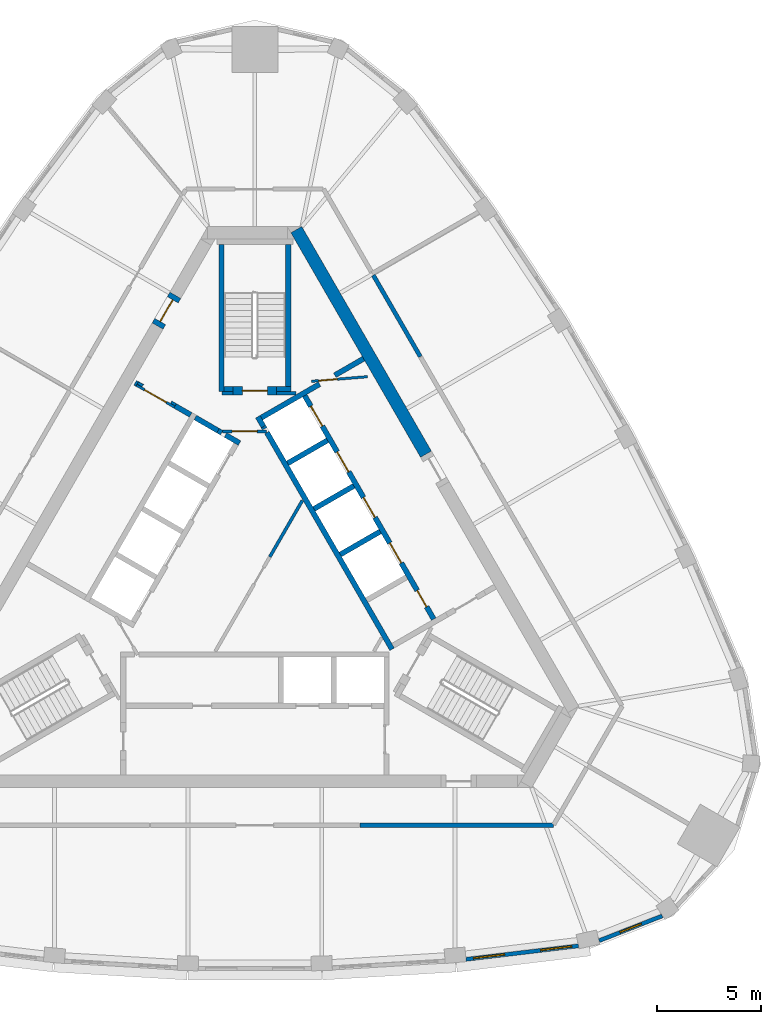
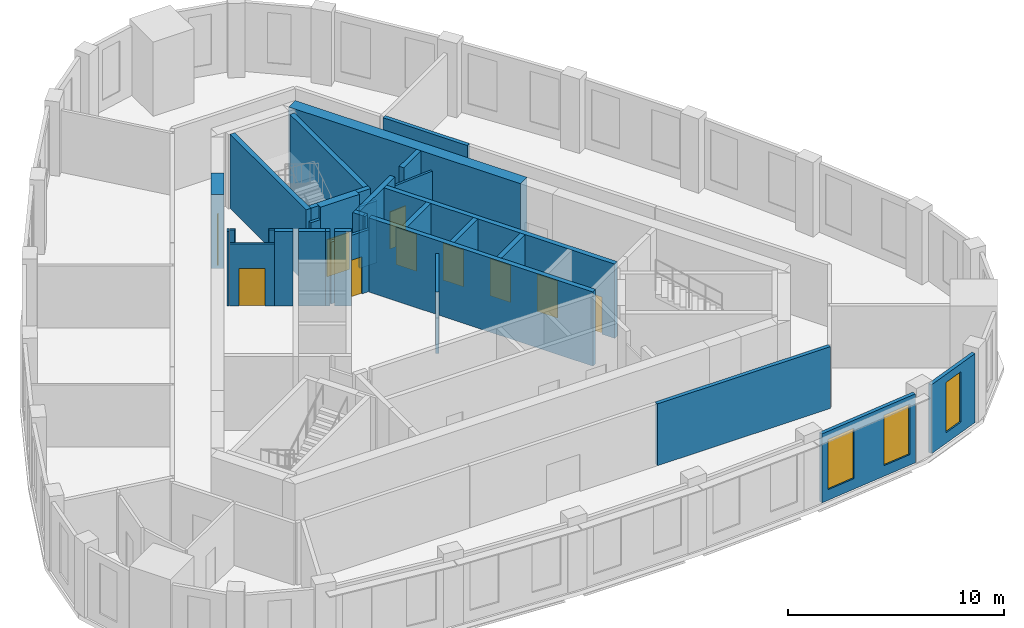
# One storey, part 5 of 8: 33 walls, 10 doors, 3 windows, 13 openings.
"""IFC4 building model written with IfcOpenShell, lengths in metres."""

from ifc_helpers import new_model, si_unit, direction, frame, frame_2d, origin, place, context, subcontext, project, spatial, polyline, rectangle, outline, extrude, material, layer, layer_set, type_object, element, fill, save


model = new_model("IFC4")

# Units and contexts
model_context = context("Model", 3, precision=1e-05, world=origin(), true_north=direction((0.0, 1.0)))
body_context = subcontext(model_context, "Body", "Model", "MODEL_VIEW")
ifc_project = project(units=[si_unit("LENGTHUNIT", "METRE"), si_unit("AREAUNIT", "SQUARE_METRE"), si_unit("VOLUMEUNIT", "CUBIC_METRE"), si_unit("PLANEANGLEUNIT", "RADIAN"), si_unit("MASSUNIT", "GRAM", prefix="KILO")], contexts=[model_context])

# Site, building, storey
site_placement = place(None, origin())
site = spatial("IfcSite", under=ifc_project, at=site_placement, CompositionType="ELEMENT")
building_placement = place(site_placement, origin())
building = spatial("IfcBuilding", under=site, at=building_placement, Name="Mestral Congress Tower", CompositionType="ELEMENT")
storey_placement = place(building_placement, frame((0.0, 0.0, 317.39990234375)))
storey = spatial("IfcBuildingStorey", under=building, at=storey_placement, Name="L74", CompositionType="ELEMENT", Elevation=317.39990234375)

# Walls
ifc_material_1 = material(Name="Fire-rated board partition")
ifc_layer_1 = layer(ifc_material_1, 0.14990234375)
ifc_layer_set_1 = layer_set([ifc_layer_1], Name="Fire-rated board partition")
wall_type_1 = type_object("IfcWallType", Name="Core partition 150", PredefinedType="PARTITIONING", material=ifc_layer_set_1)
wall_1_placement = place(storey_placement, frame((1.050048828125, 8.62548828125, 0.0), z_axis=(0.0, 0.0, 1.0), x_axis=(1.0, 0.0, 0.0)))
element("IfcWall", 1, at=wall_1_placement, inside=storey, type_object=wall_type_1, Name="L74 core wall", PredefinedType="PARTITIONING", context=body_context, shape_type="SweptSolid", body=[
    extrude(rectangle(XDim=0.9287109375, YDim=0.14990234375, at=frame_2d((0.46435546875, 0.0))), origin(), (0.0, 0.0, 1.0), 3.5),
])
wall_2_placement = place(storey_placement, frame((-1.56396484375, 8.62548828125, 0.0), z_axis=(0.0, 0.0, 1.0), x_axis=(1.0, 0.0, 0.0)))
element("IfcWall", 2, at=wall_2_placement, inside=storey, type_object=wall_type_1, Name="L74 core wall", PredefinedType="PARTITIONING", context=body_context, shape_type="SweptSolid", body=[
    extrude(rectangle(XDim=0.513916015625, YDim=0.14990234375, at=frame_2d((0.2568359375, 0.0))), origin(), (0.0, 0.0, 1.0), 3.5),
])
wall_3_placement = place(storey_placement, frame((0.719970703125, 0.796875, 0.0), z_axis=(0.0, 0.0, 1.0), x_axis=(0.499984921984, 0.866034108906, 0.0)))
element("IfcWall", 3, at=wall_3_placement, inside=storey, type_object=wall_type_1, Name="L74 core wall", PredefinedType="PARTITIONING", context=body_context, shape_type="SweptSolid", body=[
    extrude(rectangle(XDim=3.11328125, YDim=0.14990234375, at=frame_2d((1.556640625, 0.0))), origin(), (0.0, 0.0, 1.0), 3.5),
])

# Wall, opening, door
wall_4_placement = place(storey_placement, frame((-1.534423828125, 6.800048828125, 0.0), z_axis=(0.0, 0.0, 1.0), x_axis=(1.0, 0.0, 0.0)))
wall_4 = element("IfcWall", 4, at=wall_4_placement, inside=storey, type_object=wall_type_1, Name="L74 door wall", PredefinedType="PARTITIONING", context=body_context, shape_type="SweptSolid", body=[
    extrude(rectangle(XDim=2.099853515625, YDim=0.14990234375, at=frame_2d((1.0498046875, 0.0))), origin(), (0.0, 0.0, 1.0), 3.5),
])
opening_1_placement = place(wall_4_placement, frame((0.449951171875, 0.0, 0.0)))
opening_1 = element("IfcOpeningElement", 5, at=opening_1_placement, cuts=wall_4, Name="Opening CD2-FF", PredefinedType="OPENING", context=body_context, shape_type="SweptSolid", body=[
    extrude(rectangle(XDim=1.199951171875, YDim=2.10009765625, at=frame_2d((0.60009765625, 1.050048828125))), frame((0.0, 0.0849609375, 0.0), z_axis=(0.0, -1.0, 0.0), x_axis=(1.0, 0.0, 0.0)), (0.0, 0.0, 1.0), 0.169921875),
])
ifc_material_2 = material(Name="Fire-rated steel door set", Category="steel")
door_type_1 = type_object("IfcDoorType", Name="Core door CD 1200x2100", OperationType="SINGLE_SWING_LEFT", PredefinedType="DOOR", material=ifc_material_2)
door_1_placement = place(opening_1_placement, origin())
door_1 = element("IfcDoor", 6, at=door_1_placement, inside=storey, type_object=door_type_1, Name="Door CD2-FF", OperationType="SINGLE_SWING_LEFT", OverallHeight=2.10009765625, OverallWidth=1.199951171875, PredefinedType="DOOR", context=body_context, shape_type="SweptSolid", body=[
    extrude(rectangle(XDim=1.199951171875, YDim=2.10009765625, at=frame_2d((0.60009765625, 1.050048828125))), frame((0.0, 0.02490234375, 0.0), z_axis=(0.0, -1.0, 0.0), x_axis=(1.0, 0.0, 0.0)), (0.0, 0.0, 1.0), 0.050048828125),
])
fill(opening_1, door_1)

ifc_layer_2 = layer(ifc_material_1, 0.1201171875)
ifc_layer_set_2 = layer_set([ifc_layer_2], Name="Fire-rated board partition")
wall_type_2 = type_object("IfcWallType", Name="Core partition 150 door-wall 120", PredefinedType="PARTITIONING", material=ifc_layer_set_2)
wall_5_placement = place(storey_placement, frame((5.3984375, 9.418701171875, 0.0), z_axis=(0.0, 0.0, 1.0), x_axis=(-0.996653416376, -0.081743303248, 0.0)))
wall_5 = element("IfcWall", 7, at=wall_5_placement, inside=storey, type_object=wall_type_2, Name="L74 door wall", PredefinedType="PARTITIONING", context=body_context, shape_type="SweptSolid", body=[
    extrude(rectangle(XDim=2.699951171875, YDim=0.119873046875, at=frame_2d((1.35009765625, 0.0))), origin(), (0.0, 0.0, 1.0), 3.5),
])
opening_2_placement = place(wall_5_placement, frame((1.449951171875, 0.0, 0.0)))
opening_2 = element("IfcOpeningElement", 8, at=opening_2_placement, cuts=wall_5, Name="Opening TD2", PredefinedType="OPENING", context=body_context, shape_type="SweptSolid", body=[
    extrude(rectangle(XDim=0.89990234375, YDim=2.10009765625, at=frame_2d((0.449951171875, 1.050048828125))), frame((0.0, 0.06982421875, 0.0), z_axis=(0.0, -1.0, 0.0), x_axis=(1.0, 0.0, 0.0)), (0.0, 0.0, 1.0), 0.139892578125),
])
door_type_2 = type_object("IfcDoorType", Name="Core door SR 900x2100", OperationType="SINGLE_SWING_LEFT", PredefinedType="DOOR", material=ifc_material_2)
door_2_placement = place(opening_2_placement, origin())
door_2 = element("IfcDoor", 9, at=door_2_placement, inside=storey, type_object=door_type_2, Name="Door TD2", OperationType="SINGLE_SWING_LEFT", OverallHeight=2.10009765625, OverallWidth=0.89990234375, PredefinedType="DOOR", context=body_context, shape_type="SweptSolid", body=[
    extrude(rectangle(XDim=0.89990234375, YDim=2.10009765625, at=frame_2d((0.449951171875, 1.050048828125))), frame((0.0, 0.02490234375, 0.0), z_axis=(0.0, -1.0, 0.0), x_axis=(1.0, 0.0, 0.0)), (0.0, 0.0, 1.0), 0.050048828125),
])
fill(opening_2, door_2)

wall_6_placement = place(storey_placement, frame((-5.65869140625, 9.01171875, 0.0), z_axis=(0.0, 0.0, 1.0), x_axis=(0.866009402589, -0.500027713859, 0.0)))
wall_6 = element("IfcWall", 10, at=wall_6_placement, inside=storey, type_object=wall_type_2, Name="L74 door wall", PredefinedType="PARTITIONING", context=body_context, shape_type="SweptSolid", body=[
    extrude(rectangle(XDim=2.10009765625, YDim=0.1201171875, at=frame_2d((1.050048828125, 0.0))), origin(), (0.0, 0.0, 1.0), 3.5),
])
opening_3_placement = place(wall_6_placement, frame((0.449951171875, 0.0, 0.0)))
opening_3 = element("IfcOpeningElement", 11, at=opening_3_placement, cuts=wall_6, Name="Opening LB2-WL2", PredefinedType="OPENING", context=body_context, shape_type="SweptSolid", body=[
    extrude(rectangle(XDim=1.199951171875, YDim=2.10009765625, at=frame_2d((0.60009765625, 1.050048828125))), frame((0.0, 0.070068359375, 0.0), z_axis=(0.0, -1.0, 0.0), x_axis=(1.0, 0.0, 0.0)), (0.0, 0.0, 1.0), 0.14013671875),
])
door_type_3 = type_object("IfcDoorType", Name="Core door LB 1200x2100", OperationType="SINGLE_SWING_LEFT", PredefinedType="DOOR", material=ifc_material_2)
door_3_placement = place(opening_3_placement, origin())
door_3 = element("IfcDoor", 12, at=door_3_placement, inside=storey, type_object=door_type_3, Name="Door LB2-WL2", OperationType="SINGLE_SWING_LEFT", OverallHeight=2.10009765625, OverallWidth=1.199951171875, PredefinedType="DOOR", context=body_context, shape_type="SweptSolid", body=[
    extrude(rectangle(XDim=1.199951171875, YDim=2.10009765625, at=frame_2d((0.60009765625, 1.050048828125))), frame((0.0, 0.02490234375, 0.0), z_axis=(0.0, -1.0, 0.0), x_axis=(1.0, 0.0, 0.0)), (0.0, 0.0, 1.0), 0.050048828125),
])
fill(opening_3, door_3)

# Wall
ifc_material_3 = material(Name="Concrete C60/75", Category="concrete")
ifc_layer_3 = layer(ifc_material_3, 0.60009765625)
ifc_layer_set_3 = layer_set([ifc_layer_3], Name="Concrete C60/75")
wall_type_3 = type_object("IfcWallType", Name="Core wall RC 600", PredefinedType="SOLIDWALL", material=ifc_layer_set_3)
wall_7_placement = place(storey_placement, frame((1.98876953125, 16.45556640625, 0.0), z_axis=(0.0, 0.0, 1.0), x_axis=(0.49999102663, -0.8660305845, 0.0)))
element("IfcWall", 13, at=wall_7_placement, inside=storey, type_object=wall_type_3, Name="L74 core wall", PredefinedType="SOLIDWALL", context=body_context, shape_type="SweptSolid", body=[
    extrude(rectangle(XDim=12.406494140625, YDim=0.60009765625, at=frame_2d((6.203125, 0.0))), origin(), (0.0, 0.0, 1.0), 4.2001953125),
])

# Wall, opening, door
wall_8_placement = place(storey_placement, frame((-4.65234375, 11.842041015625, 0.0), z_axis=(0.0, 0.0, 1.0), x_axis=(0.500062241894, 0.865989465428, 0.0)))
wall_8 = element("IfcWall", 14, at=wall_8_placement, inside=storey, type_object=wall_type_3, Name="L74 door wall", PredefinedType="SOLIDWALL", context=body_context, shape_type="SweptSolid", body=[
    extrude(rectangle(XDim=1.699951171875, YDim=0.60009765625, at=frame_2d((0.85009765625, 0.0))), origin(), (0.0, 0.0, 1.0), 4.2001953125),
])
opening_4_placement = place(wall_8_placement, frame((0.25, 0.0, 0.0)))
opening_4 = element("IfcOpeningElement", 15, at=opening_4_placement, cuts=wall_8, Name="Opening XD2", PredefinedType="OPENING", context=body_context, shape_type="SweptSolid", body=[
    extrude(rectangle(XDim=1.199951171875, YDim=2.10009765625, at=frame_2d((0.60009765625, 1.050048828125))), frame((0.0, 0.31005859375, 0.0), z_axis=(0.0, -1.0, 0.0), x_axis=(1.0, 0.0, 0.0)), (0.0, 0.0, 1.0), 0.6201171875),
])
door_type_4 = type_object("IfcDoorType", Name="Core door XD 1200x2100", OperationType="SINGLE_SWING_LEFT", PredefinedType="DOOR", material=ifc_material_2)
door_4_placement = place(opening_4_placement, origin())
door_4 = element("IfcDoor", 16, at=door_4_placement, inside=storey, type_object=door_type_4, Name="Door XD2", OperationType="SINGLE_SWING_LEFT", OverallHeight=2.10009765625, OverallWidth=1.199951171875, PredefinedType="DOOR", context=body_context, shape_type="SweptSolid", body=[
    extrude(rectangle(XDim=1.199951171875, YDim=2.10009765625, at=frame_2d((0.60009765625, 1.050048828125))), frame((0.0, 0.02490234375, 0.0), z_axis=(0.0, -1.0, 0.0), x_axis=(1.0, 0.0, 0.0)), (0.0, 0.0, 1.0), 0.050048828125),
])
fill(opening_4, door_4)

# Wall, openings, windows
ifc_material_4 = material(Name="Precast concrete C40/50 with limestone facing", Category="masonry")
ifc_layer_4 = layer(ifc_material_4, 0.18994140625)
ifc_layer_set_4 = layer_set([ifc_layer_4], Name="Precast concrete C40/50 with limestone facing")
wall_type_4 = type_object("IfcWallType", Name="Facade stone wall 190", PredefinedType="SOLIDWALL", material=ifc_layer_set_4)
wall_9_placement = place(storey_placement, frame((10.110595703125, -18.4677734375, 0.0), z_axis=(0.0, 0.0, 1.0), x_axis=(0.992885582795, 0.119072328769, 0.0)))
wall_9 = element("IfcWall", 17, at=wall_9_placement, inside=storey, type_object=wall_type_4, Name="Facade wall F0-04", PredefinedType="SOLIDWALL", context=body_context, shape_type="SweptSolid", body=[
    extrude(rectangle(XDim=5.4150390625, YDim=0.18994140625, at=frame_2d((2.70751953125, 0.0))), origin(), (0.0, 0.0, 1.0), 3.900146484375),
])
opening_5_placement = place(wall_9_placement, frame((0.357421875, 0.0, 0.60009765625)))
opening_5 = element("IfcOpeningElement", 18, at=opening_5_placement, cuts=wall_9, Name="Opening W6", PredefinedType="OPENING", context=body_context, shape_type="SweptSolid", body=[
    extrude(rectangle(XDim=1.5, YDim=2.85009765625, at=frame_2d((0.75, 1.425048828125))), frame((0.0, 0.10498046875, 0.0), z_axis=(0.0, -1.0, 0.0), x_axis=(1.0, 0.0, 0.0)), (0.0, 0.0, 1.0), 0.2099609375),
])
opening_6_placement = place(wall_9_placement, frame((3.592529296875, 0.0, 0.60009765625)))
opening_6 = element("IfcOpeningElement", 19, at=opening_6_placement, cuts=wall_9, Name="Opening W6", PredefinedType="OPENING", context=body_context, shape_type="SweptSolid", body=[
    extrude(rectangle(XDim=1.5, YDim=2.85009765625, at=frame_2d((0.75, 1.425048828125))), frame((0.0, 0.10498046875, 0.0), z_axis=(0.0, -1.0, 0.0), x_axis=(1.0, 0.0, 0.0)), (0.0, 0.0, 1.0), 0.2099609375),
])
ifc_material_5 = material(Name="Clear low-emissivity double glazing", Category="glass")
window_type_1 = type_object("IfcWindowType", Name="Facade punched window 1500 x 2850 sill 600", PartitioningType="SINGLE_PANEL", PredefinedType="WINDOW", material=ifc_material_5)
window_1_placement = place(opening_5_placement, origin())
window_1 = element("IfcWindow", 20, at=window_1_placement, inside=storey, type_object=window_type_1, Name="Window F0-04a", OverallHeight=2.85009765625, OverallWidth=1.5, PartitioningType="SINGLE_PANEL", PredefinedType="WINDOW", context=body_context, shape_type="SweptSolid", body=[
    extrude(rectangle(XDim=1.5, YDim=2.85009765625, at=frame_2d((0.75, 1.425048828125))), frame((0.0, 0.044921875, 0.0), z_axis=(0.0, -1.0, 0.0), x_axis=(1.0, 0.0, 0.0)), (0.0, 0.0, 1.0), 0.06005859375),
])
fill(opening_5, window_1)
window_2_placement = place(opening_6_placement, origin())
window_2 = element("IfcWindow", 21, at=window_2_placement, inside=storey, type_object=window_type_1, Name="Window F0-04b", OverallHeight=2.85009765625, OverallWidth=1.5, PartitioningType="SINGLE_PANEL", PredefinedType="WINDOW", context=body_context, shape_type="SweptSolid", body=[
    extrude(rectangle(XDim=1.5, YDim=2.85009765625, at=frame_2d((0.75, 1.425048828125))), frame((0.0, 0.044921875, 0.0), z_axis=(0.0, -1.0, 0.0), x_axis=(1.0, 0.0, 0.0)), (0.0, 0.0, 1.0), 0.06005859375),
])
fill(opening_6, window_2)

# Wall, opening, window
wall_10_placement = place(storey_placement, frame((16.48291015625, -17.572998046875, 0.0), z_axis=(0.0, 0.0, 1.0), x_axis=(0.93100888477, 0.364996515709, 0.0)))
wall_10 = element("IfcWall", 22, at=wall_10_placement, inside=storey, type_object=wall_type_4, Name="Facade wall K0-0", PredefinedType="SOLIDWALL", context=body_context, shape_type="SweptSolid", body=[
    extrude(rectangle(XDim=3.23681640625, YDim=0.18994140625, at=frame_2d((1.618408203125, 0.0))), origin(), (0.0, 0.0, 1.0), 3.900146484375),
])
opening_7_placement = place(wall_10_placement, frame((1.068359375, 0.0, 0.60009765625)))
opening_7 = element("IfcOpeningElement", 23, at=opening_7_placement, cuts=wall_10, Name="Opening W7", PredefinedType="OPENING", context=body_context, shape_type="SweptSolid", body=[
    extrude(rectangle(XDim=1.10009765625, YDim=2.85009765625, at=frame_2d((0.550048828125, 1.425048828125))), frame((0.0, 0.10498046875, 0.0), z_axis=(0.0, -1.0, 0.0), x_axis=(1.0, 0.0, 0.0)), (0.0, 0.0, 1.0), 0.2099609375),
])
window_type_2 = type_object("IfcWindowType", Name="Facade punched window 1100 x 2850 sill 600", PartitioningType="SINGLE_PANEL", PredefinedType="WINDOW", material=ifc_material_5)
window_3_placement = place(opening_7_placement, origin())
window_3 = element("IfcWindow", 24, at=window_3_placement, inside=storey, type_object=window_type_2, Name="Window K0-0", OverallHeight=2.85009765625, OverallWidth=1.10009765625, PartitioningType="SINGLE_PANEL", PredefinedType="WINDOW", context=body_context, shape_type="SweptSolid", body=[
    extrude(rectangle(XDim=1.10009765625, YDim=2.85009765625, at=frame_2d((0.550048828125, 1.425048828125))), frame((0.0, 0.044921875, 0.0), z_axis=(0.0, -1.0, 0.0), x_axis=(1.0, 0.0, 0.0)), (0.0, 0.0, 1.0), 0.06005859375),
])
fill(opening_7, window_3)

# Walls
ifc_material_6 = material(Name="Dense masonry wall, plastered", Category="masonry")
ifc_layer_5 = layer(ifc_material_6, 0.199951171875)
ifc_layer_set_5 = layer_set([ifc_layer_5], Name="Dense masonry wall, plastered")
wall_type_5 = type_object("IfcWallType", Name="Office tenancy wall 200", PredefinedType="PARTITIONING", material=ifc_layer_set_5)
wall_11_placement = place(storey_placement, frame((5.030029296875, -12.050048828125, 0.0), z_axis=(0.0, 0.0, 1.0), x_axis=(1.0, 0.0, 0.0)))
element("IfcWall", 25, at=wall_11_placement, inside=storey, type_object=wall_type_5, Name="Tenancy wall", PredefinedType="PARTITIONING", context=body_context, shape_type="SweptSolid", body=[
    extrude(rectangle(XDim=9.25927734375, YDim=0.199951171875, at=frame_2d((4.629638671875, 0.0))), origin(), (0.0, 0.0, 1.0), 3.5),
])
wall_12_placement = place(storey_placement, frame((7.920654296875, 10.381103515625, 0.0), z_axis=(0.0, 0.0, 1.0), x_axis=(-0.500021625289, 0.866012918058, 0.0)))
element("IfcWall", 26, at=wall_12_placement, inside=storey, type_object=wall_type_5, Name="Tenancy wall", PredefinedType="PARTITIONING", context=body_context, shape_type="SweptSolid", body=[
    extrude(rectangle(XDim=4.497314453125, YDim=0.199951171875, at=frame_2d((2.24853515625, 0.0))), origin(), (0.0, 0.0, 1.0), 3.5),
])
ifc_layer_6 = layer(ifc_material_3, 0.25)
ifc_layer_set_6 = layer_set([ifc_layer_6], Name="Concrete C60/75")
wall_type_6 = type_object("IfcWallType", Name="Shaft wall RC 250", PredefinedType="SOLIDWALL", material=ifc_layer_set_6)
wall_13_placement = place(storey_placement, frame((0.473388671875, 6.93017578125, 0.0), z_axis=(0.0, 0.0, 1.0), x_axis=(-0.49972245349, 0.866185586049, 0.0)))
element("IfcWall", 27, at=wall_13_placement, inside=storey, type_object=wall_type_6, Name="L74 core wall", PredefinedType="SOLIDWALL", context=body_context, shape_type="SweptSolid", body=[
    extrude(rectangle(XDim=0.10986328125, YDim=0.25, at=frame_2d((0.054931640625, 0.0))), origin(), (0.0, 0.0, 1.0), 4.2001953125),
])
wall_14_placement = place(storey_placement, frame((6.568359375, -3.626708984375, 0.0), z_axis=(0.0, 0.0, 1.0), x_axis=(-0.499999455981, 0.866025717874, 0.0)))
element("IfcWall", 28, at=wall_14_placement, inside=storey, type_object=wall_type_6, Name="L74 core wall", PredefinedType="SOLIDWALL", context=body_context, shape_type="SweptSolid", body=[
    extrude(rectangle(XDim=11.97802734375, YDim=0.25, at=frame_2d((5.989013671875, 0.0))), origin(), (0.0, 0.0, 1.0), 4.2001953125),
])
wall_15_placement = place(storey_placement, frame((0.41748046875, 7.027099609375, 0.0), z_axis=(0.0, 0.0, 1.0), x_axis=(-0.500210807569, 0.865903659763, 0.0)))
element("IfcWall", 29, at=wall_15_placement, inside=storey, type_object=wall_type_6, Name="L74 core wall", PredefinedType="SOLIDWALL", context=body_context, shape_type="SweptSolid", body=[
    extrude(rectangle(XDim=0.548095703125, YDim=0.25, at=frame_2d((0.27392578125, 0.0))), origin(), (0.0, 0.0, 1.0), 4.2001953125),
])
wall_16_placement = place(storey_placement, frame((3.10009765625, 9.064453125, 0.0), z_axis=(0.0, 0.0, 1.0), x_axis=(-0.866030133475, -0.499991807846, 0.0)))
element("IfcWall", 30, at=wall_16_placement, inside=storey, type_object=wall_type_6, Name="L74 core wall", PredefinedType="SOLIDWALL", context=body_context, shape_type="SweptSolid", body=[
    extrude(rectangle(XDim=3.216796875, YDim=0.25, at=frame_2d((1.6083984375, 0.0))), origin(), (0.0, 0.0, 1.0), 4.2001953125),
])
wall_17_placement = place(storey_placement, frame((1.57421875, 5.273681640625, 0.0), z_axis=(0.0, 0.0, 1.0), x_axis=(0.866028486751, 0.499994660107, 0.0)))
element("IfcWall", 31, at=wall_17_placement, inside=storey, type_object=wall_type_6, Name="L74 core wall", PredefinedType="SOLIDWALL", context=body_context, shape_type="SweptSolid", body=[
    extrude(rectangle(XDim=2.19970703125, YDim=0.25, at=frame_2d((1.099853515625, 0.0))), origin(), (0.0, 0.0, 1.0), 4.2001953125),
])
for number, where, z_axis, x_axis, name in (
    (32, (2.833984375, 3.091064453125, 0.0), (0.0, 0.0, 1.0), (0.866008176907, 0.50002983664, 0.0), "L74 core wall"),
    (33, (4.093994140625, 0.90869140625, 0.0), (0.0, 0.0, 1.0), (0.866008176907, 0.50002983664, 0.0), "L74 core wall"),
):
    element("IfcWall", number, at=place(storey_placement, frame(where, z_axis=z_axis, x_axis=x_axis)), inside=storey, type_object=wall_type_6, Name=name, PredefinedType="SOLIDWALL", context=body_context, shape_type="SweptSolid", body=[
        extrude(rectangle(XDim=2.199951171875, YDim=0.25, at=frame_2d((1.10009765625, 0.0))), origin(), (0.0, 0.0, 1.0), 4.2001953125),
    ])
wall_18_placement = place(storey_placement, frame((3.82958984375, 9.485595703125, 0.0), z_axis=(0.0, 0.0, 1.0), x_axis=(0.865986202621, 0.500067892261, 0.0)))
element("IfcWall", 34, at=wall_18_placement, inside=storey, type_object=wall_type_6, Name="L74 core wall", PredefinedType="SOLIDWALL", context=body_context, shape_type="SweptSolid", body=[
    extrude(rectangle(XDim=1.590576171875, YDim=0.25, at=frame_2d((0.79541015625, 0.0))), origin(), (0.0, 0.0, 1.0), 4.2001953125),
])
wall_19_placement = place(storey_placement, frame((-1.75830078125, 6.834716796875, 0.0), z_axis=(0.0, 0.0, 1.0), x_axis=(0.865982457891, -0.500074377092, 0.0)))
element("IfcWall", 35, at=wall_19_placement, inside=storey, type_object=wall_type_6, Name="L74 core wall", PredefinedType="SOLIDWALL", context=body_context, shape_type="SweptSolid", body=[
    extrude(rectangle(XDim=0.2001953125, YDim=0.25, at=frame_2d((0.10009765625, 0.0))), origin(), (0.0, 0.0, 1.0), 4.2001953125),
])
wall_20_placement = place(storey_placement, frame((-1.760009765625, 6.835693359375, 0.0), z_axis=(0.0, 0.0, 1.0), x_axis=(-0.865952863304, 0.500125622755, 0.0)))
element("IfcWall", 36, at=wall_20_placement, inside=storey, type_object=wall_type_6, Name="L74 core wall", PredefinedType="SOLIDWALL", context=body_context, shape_type="SweptSolid", body=[
    extrude(rectangle(XDim=1.258056640625, YDim=0.25, at=frame_2d((0.62890625, 0.0))), origin(), (0.0, 0.0, 1.0), 4.2001953125),
])
wall_21_placement = place(storey_placement, frame((-0.7275390625, 6.23974609375, 0.0), z_axis=(0.0, 0.0, 1.0), x_axis=(-0.865955664968, 0.500120771724, 0.0)))
element("IfcWall", 37, at=wall_21_placement, inside=storey, type_object=wall_type_6, Name="L74 core wall", PredefinedType="SOLIDWALL", context=body_context, shape_type="SweptSolid", body=[
    extrude(rectangle(XDim=0.778076171875, YDim=0.25, at=frame_2d((0.38916015625, 0.0))), origin(), (0.0, 0.0, 1.0), 4.2001953125),
])
wall_22_placement = place(storey_placement, frame((-5.724609375, 9.124755859375, 0.0), z_axis=(0.0, 0.0, 1.0), x_axis=(0.866185586049, -0.49972245349, 0.0)))
element("IfcWall", 38, at=wall_22_placement, inside=storey, type_object=wall_type_6, Name="L74 core wall", PredefinedType="SOLIDWALL", context=body_context, shape_type="SweptSolid", body=[
    extrude(rectangle(XDim=0.10986328125, YDim=0.25, at=frame_2d((0.054931640625, 0.0))), origin(), (0.0, 0.0, 1.0), 4.2001953125),
])
wall_23_placement = place(storey_placement, frame((-3.06591796875, 7.58984375, 0.0), z_axis=(0.0, 0.0, 1.0), x_axis=(-0.866081358704, 0.49990307071, 0.0)))
element("IfcWall", 39, at=wall_23_placement, inside=storey, type_object=wall_type_6, Name="L74 core wall", PredefinedType="SOLIDWALL", context=body_context, shape_type="SweptSolid", body=[
    extrude(rectangle(XDim=0.858154296875, YDim=0.25, at=frame_2d((0.42919921875, 0.0))), origin(), (0.0, 0.0, 1.0), 4.2001953125),
])
placement = place(storey_placement, origin())
element("IfcWall", 40, at=placement, inside=storey, type_object=wall_type_6, Name="L74 core wall", PredefinedType="SOLIDWALL", context=body_context, shape_type="SweptSolid", body=[
    extrude(outline(polyline([(-3.748291015625, 8.1279296875), (-3.813232421875, 8.015380859375), (-4.026611328125, 8.138671875), (-4.0166015625, 8.156005859375), (-4.007568359375, 8.17333984375), (-4.000244140625, 8.191650390625), (-3.994873046875, 8.21044921875), (-3.991455078125, 8.229736328125), (-3.98974609375, 8.24951171875), (-3.989990234375, 8.267578125), (-3.748291015625, 8.1279296875)])), origin(), (0.0, 0.0, 1.0), 4.2001953125),
])
element("IfcWall", 41, at=placement, inside=storey, type_object=wall_type_6, Name="L74 core wall", PredefinedType="SOLIDWALL", context=body_context, shape_type="SweptSolid", body=[
    extrude(outline(polyline([(-5.688720703125, 8.959716796875), (-5.690185546875, 8.960693359375), (-5.565185546875, 9.177001953125), (-5.318603515625, 9.03466796875), (-5.334716796875, 9.02587890625), (-5.3505859375, 9.0146484375), (-5.36572265625, 9.001953125), (-5.37939453125, 8.98779296875), (-5.3916015625, 8.972412109375), (-5.402099609375, 8.955810546875), (-5.412109375, 8.938720703125), (-5.628662109375, 9.063720703125), (-5.628662109375, 9.063720703125), (-5.688720703125, 8.959716796875)])), origin(), (0.0, 0.0, 1.0), 4.2001953125),
])

# Wall, openings, doors
wall_26_placement = place(storey_placement, frame((8.565185546875, -2.185302734375, 0.0), z_axis=(0.0, 0.0, 1.0), x_axis=(-0.499997954832, 0.866026584559, 0.0)))
wall_26 = element("IfcWall", 42, at=wall_26_placement, inside=storey, type_object=wall_type_6, Name="L74 door wall", PredefinedType="SOLIDWALL", context=body_context, shape_type="SweptSolid", body=[
    extrude(rectangle(XDim=12.35009765625, YDim=0.25, at=frame_2d((6.175048828125, 0.0))), origin(), (0.0, 0.0, 1.0), 4.2001953125),
])
opening_8_placement = place(wall_26_placement, frame((0.68505859375, 0.0, 0.0)))
opening_8 = element("IfcOpeningElement", 43, at=opening_8_placement, cuts=wall_26, Name="Opening SR-NEB1", PredefinedType="OPENING", context=body_context, shape_type="SweptSolid", body=[
    extrude(rectangle(XDim=0.89990234375, YDim=2.10009765625, at=frame_2d((0.449951171875, 1.050048828125))), frame((0.0, 0.135009765625, 0.0), z_axis=(0.0, -1.0, 0.0), x_axis=(1.0, 0.0, 0.0)), (0.0, 0.0, 1.0), 0.27001953125),
])
opening_9_placement = place(wall_26_placement, frame((3.10498046875, 0.0, 0.0)))
opening_9 = element("IfcOpeningElement", 44, at=opening_9_placement, cuts=wall_26, Name="Opening LD-NEB2", PredefinedType="OPENING", context=body_context, shape_type="SweptSolid", body=[
    extrude(rectangle(XDim=1.10009765625, YDim=2.10009765625, at=frame_2d((0.550048828125, 1.050048828125))), frame((0.0, 0.135009765625, 0.0), z_axis=(0.0, -1.0, 0.0), x_axis=(1.0, 0.0, 0.0)), (0.0, 0.0, 1.0), 0.27001953125),
])
opening_10_placement = place(wall_26_placement, frame((5.625, 0.0, 0.0)))
opening_10 = element("IfcOpeningElement", 45, at=opening_10_placement, cuts=wall_26, Name="Opening LD-NEB3", PredefinedType="OPENING", context=body_context, shape_type="SweptSolid", body=[
    extrude(rectangle(XDim=1.10009765625, YDim=2.10009765625, at=frame_2d((0.550048828125, 1.050048828125))), frame((0.0, 0.135009765625, 0.0), z_axis=(0.0, -1.0, 0.0), x_axis=(1.0, 0.0, 0.0)), (0.0, 0.0, 1.0), 0.27001953125),
])
opening_11_placement = place(wall_26_placement, frame((8.14501953125, 0.0, 0.0)))
opening_11 = element("IfcOpeningElement", 46, at=opening_11_placement, cuts=wall_26, Name="Opening LD-NEB4", PredefinedType="OPENING", context=body_context, shape_type="SweptSolid", body=[
    extrude(rectangle(XDim=1.10009765625, YDim=2.10009765625, at=frame_2d((0.550048828125, 1.050048828125))), frame((0.0, 0.135009765625, 0.0), z_axis=(0.0, -1.0, 0.0), x_axis=(1.0, 0.0, 0.0)), (0.0, 0.0, 1.0), 0.27001953125),
])
opening_12_placement = place(wall_26_placement, frame((10.6650390625, 0.0, 0.0)))
opening_12 = element("IfcOpeningElement", 47, at=opening_12_placement, cuts=wall_26, Name="Opening LD-NEB5", PredefinedType="OPENING", context=body_context, shape_type="SweptSolid", body=[
    extrude(rectangle(XDim=1.10009765625, YDim=2.10009765625, at=frame_2d((0.550048828125, 1.050048828125))), frame((0.0, 0.135009765625, 0.0), z_axis=(0.0, -1.0, 0.0), x_axis=(1.0, 0.0, 0.0)), (0.0, 0.0, 1.0), 0.27001953125),
])
door_type_5 = type_object("IfcDoorType", Name="Core door LD 1100x2100", OperationType="DOUBLE_DOOR_SLIDING", PredefinedType="DOOR", material=ifc_material_2)
door_5_placement = place(opening_9_placement, origin())
door_5 = element("IfcDoor", 48, at=door_5_placement, inside=storey, type_object=door_type_5, Name="Door LD-NEB2", OperationType="DOUBLE_DOOR_SLIDING", OverallHeight=2.10009765625, OverallWidth=1.10009765625, PredefinedType="DOOR", context=body_context, shape_type="SweptSolid", body=[
    extrude(rectangle(XDim=1.10009765625, YDim=2.10009765625, at=frame_2d((0.550048828125, 1.050048828125))), frame((0.0, 0.02490234375, 0.0), z_axis=(0.0, -1.0, 0.0), x_axis=(1.0, 0.0, 0.0)), (0.0, 0.0, 1.0), 0.050048828125),
])
fill(opening_9, door_5)
door_6_placement = place(opening_10_placement, origin())
door_6 = element("IfcDoor", 49, at=door_6_placement, inside=storey, type_object=door_type_5, Name="Door LD-NEB3", OperationType="DOUBLE_DOOR_SLIDING", OverallHeight=2.10009765625, OverallWidth=1.10009765625, PredefinedType="DOOR", context=body_context, shape_type="SweptSolid", body=[
    extrude(rectangle(XDim=1.10009765625, YDim=2.10009765625, at=frame_2d((0.550048828125, 1.050048828125))), frame((0.0, 0.02490234375, 0.0), z_axis=(0.0, -1.0, 0.0), x_axis=(1.0, 0.0, 0.0)), (0.0, 0.0, 1.0), 0.050048828125),
])
fill(opening_10, door_6)
door_7_placement = place(opening_11_placement, origin())
door_7 = element("IfcDoor", 50, at=door_7_placement, inside=storey, type_object=door_type_5, Name="Door LD-NEB4", OperationType="DOUBLE_DOOR_SLIDING", OverallHeight=2.10009765625, OverallWidth=1.10009765625, PredefinedType="DOOR", context=body_context, shape_type="SweptSolid", body=[
    extrude(rectangle(XDim=1.10009765625, YDim=2.10009765625, at=frame_2d((0.550048828125, 1.050048828125))), frame((0.0, 0.02490234375, 0.0), z_axis=(0.0, -1.0, 0.0), x_axis=(1.0, 0.0, 0.0)), (0.0, 0.0, 1.0), 0.050048828125),
])
fill(opening_11, door_7)
door_8_placement = place(opening_12_placement, origin())
door_8 = element("IfcDoor", 51, at=door_8_placement, inside=storey, type_object=door_type_5, Name="Door LD-NEB5", OperationType="DOUBLE_DOOR_SLIDING", OverallHeight=2.10009765625, OverallWidth=1.10009765625, PredefinedType="DOOR", context=body_context, shape_type="SweptSolid", body=[
    extrude(rectangle(XDim=1.10009765625, YDim=2.10009765625, at=frame_2d((0.550048828125, 1.050048828125))), frame((0.0, 0.02490234375, 0.0), z_axis=(0.0, -1.0, 0.0), x_axis=(1.0, 0.0, 0.0)), (0.0, 0.0, 1.0), 0.050048828125),
])
fill(opening_12, door_8)
door_9_placement = place(opening_8_placement, origin())
door_9 = element("IfcDoor", 52, at=door_9_placement, inside=storey, type_object=door_type_2, Name="Door SR-NEB1", OperationType="SINGLE_SWING_LEFT", OverallHeight=2.10009765625, OverallWidth=0.89990234375, PredefinedType="DOOR", context=body_context, shape_type="SweptSolid", body=[
    extrude(rectangle(XDim=0.89990234375, YDim=2.10009765625, at=frame_2d((0.449951171875, 1.050048828125))), frame((0.0, 0.02490234375, 0.0), z_axis=(0.0, -1.0, 0.0), x_axis=(1.0, 0.0, 0.0)), (0.0, 0.0, 1.0), 0.050048828125),
])
fill(opening_8, door_9)

# Walls
ifc_layer_7 = layer(ifc_material_3, 0.25)
ifc_layer_set_7 = layer_set([ifc_layer_7], Name="Concrete C60/75")
wall_type_7 = type_object("IfcWallType", Name="Stair wall RC 250", PredefinedType="SOLIDWALL", material=ifc_layer_set_7)
wall_27_placement = place(storey_placement, frame((1.60009765625, 8.949951171875, 0.0), z_axis=(0.0, 0.0, 1.0), x_axis=(0.0, 1.0, 0.0)))
element("IfcWall", 53, at=wall_27_placement, inside=storey, type_object=wall_type_7, Name="L74 core wall", PredefinedType="SOLIDWALL", context=body_context, shape_type="SweptSolid", body=[
    extrude(rectangle(XDim=6.800048828125, YDim=0.25, at=frame_2d((3.39990234375, 0.0))), origin(), (0.0, 0.0, 1.0), 4.2001953125),
])
wall_28_placement = place(storey_placement, frame((1.050048828125, 8.824951171875, 0.0), z_axis=(0.0, 0.0, 1.0), x_axis=(1.0, 0.0, 0.0)))
element("IfcWall", 54, at=wall_28_placement, inside=storey, type_object=wall_type_7, Name="L74 core wall", PredefinedType="SOLIDWALL", context=body_context, shape_type="SweptSolid", body=[
    extrude(rectangle(XDim=0.675048828125, YDim=0.25, at=frame_2d((0.33740234375, 0.0))), origin(), (0.0, 0.0, 1.0), 4.2001953125),
])
wall_29_placement = place(storey_placement, frame((-1.60009765625, 8.699951171875, 0.0), z_axis=(0.0, 0.0, 1.0), x_axis=(0.0, 1.0, 0.0)))
element("IfcWall", 55, at=wall_29_placement, inside=storey, type_object=wall_type_7, Name="L74 core wall", PredefinedType="SOLIDWALL", context=body_context, shape_type="SweptSolid", body=[
    extrude(rectangle(XDim=7.050048828125, YDim=0.25, at=frame_2d((3.52490234375, 0.0))), origin(), (0.0, 0.0, 1.0), 4.2001953125),
])
wall_30_placement = place(storey_placement, frame((-1.47509765625, 8.824951171875, 0.0), z_axis=(0.0, 0.0, 1.0), x_axis=(1.0, 0.0, 0.0)))
element("IfcWall", 56, at=wall_30_placement, inside=storey, type_object=wall_type_7, Name="L74 core wall", PredefinedType="SOLIDWALL", context=body_context, shape_type="SweptSolid", body=[
    extrude(rectangle(XDim=0.425048828125, YDim=0.25, at=frame_2d((0.21240234375, 0.0))), origin(), (0.0, 0.0, 1.0), 4.2001953125),
])

# Wall, opening, door
ifc_layer_8 = layer(ifc_material_3, 0.39990234375)
ifc_layer_set_8 = layer_set([ifc_layer_8], Name="Concrete C60/75")
wall_type_8 = type_object("IfcWallType", Name="Stair wall RC 250 door-wall 400", PredefinedType="SOLIDWALL", material=ifc_layer_set_8)
wall_31_placement = place(storey_placement, frame((1.050048828125, 8.75, 0.0), z_axis=(0.0, 0.0, 1.0), x_axis=(-1.0, 0.0, 0.0)))
wall_31 = element("IfcWall", 57, at=wall_31_placement, inside=storey, type_object=wall_type_8, Name="L74 door wall", PredefinedType="SOLIDWALL", context=body_context, shape_type="SweptSolid", body=[
    extrude(rectangle(XDim=2.10009765625, YDim=0.39990234375, at=frame_2d((1.050048828125, 0.0))), origin(), (0.0, 0.0, 1.0), 4.2001953125),
])
opening_13_placement = place(wall_31_placement, frame((0.449951171875, 0.0, 0.0)))
opening_13 = element("IfcOpeningElement", 58, at=opening_13_placement, cuts=wall_31, Name="Opening ST-D2", PredefinedType="OPENING", context=body_context, shape_type="SweptSolid", body=[
    extrude(rectangle(XDim=1.199951171875, YDim=2.10009765625, at=frame_2d((0.60009765625, 1.050048828125))), frame((0.0, 0.2099609375, 0.0), z_axis=(0.0, -1.0, 0.0), x_axis=(1.0, 0.0, 0.0)), (0.0, 0.0, 1.0), 0.419921875),
])
door_type_6 = type_object("IfcDoorType", Name="Core door ST 1200x2100", OperationType="SINGLE_SWING_LEFT", PredefinedType="DOOR", material=ifc_material_2)
door_10_placement = place(opening_13_placement, origin())
door_10 = element("IfcDoor", 59, at=door_10_placement, inside=storey, type_object=door_type_6, Name="Door ST-D2", OperationType="SINGLE_SWING_LEFT", OverallHeight=2.10009765625, OverallWidth=1.199951171875, PredefinedType="DOOR", context=body_context, shape_type="SweptSolid", body=[
    extrude(rectangle(XDim=1.199951171875, YDim=2.10009765625, at=frame_2d((0.60009765625, 1.050048828125))), frame((0.0, 0.02490234375, 0.0), z_axis=(0.0, -1.0, 0.0), x_axis=(1.0, 0.0, 0.0)), (0.0, 0.0, 1.0), 0.050048828125),
])
fill(opening_13, door_10)

save(model, "model.ifc")
